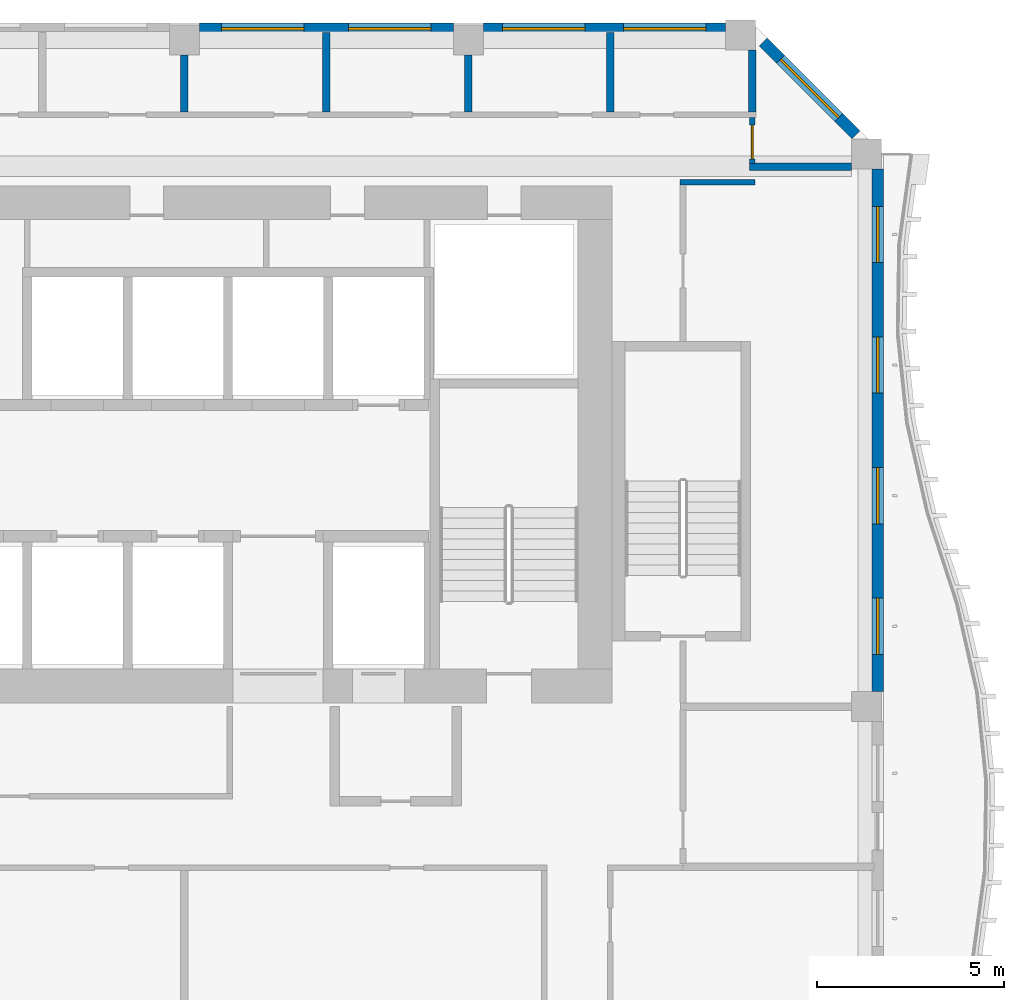
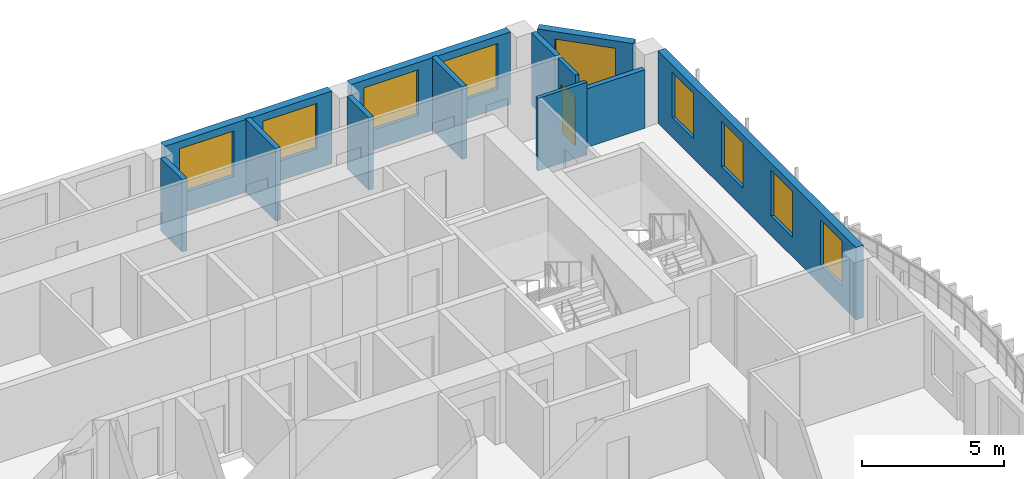
# One storey, part 11 of 24: 12 walls, 9 windows, 1 door, 10 openings.
"""IFC4 building model written with IfcOpenShell, lengths in metres."""

from ifc_helpers import new_model, si_unit, direction, frame, frame_2d, origin, place, context, subcontext, project, spatial, rectangle, extrude, source, transform, mapped, material, layer, layer_set, type_object, element, fill, save


model = new_model("IFC4")

# Units and contexts
model_context = context("Model", 3, precision=1e-05, world=origin(), true_north=direction((0.0, 1.0)))
body_context = subcontext(model_context, "Body", "Model", "MODEL_VIEW")
ifc_project = project(units=[si_unit("LENGTHUNIT", "METRE"), si_unit("AREAUNIT", "SQUARE_METRE"), si_unit("VOLUMEUNIT", "CUBIC_METRE"), si_unit("PLANEANGLEUNIT", "RADIAN"), si_unit("MASSUNIT", "GRAM", prefix="KILO")], contexts=[model_context])

# Site, building, storey
site_placement = place(None, origin())
site = spatial("IfcSite", under=ifc_project, at=site_placement, CompositionType="ELEMENT")
building_placement = place(site_placement, origin())
building = spatial("IfcBuilding", under=site, at=building_placement, Name="Kilnfold Tower and Market Hall", CompositionType="ELEMENT")
storey_placement = place(building_placement, frame((0.0, 0.0, 175.300048828125)))
storey = spatial("IfcBuildingStorey", under=building, at=storey_placement, Name="L41", CompositionType="ELEMENT", Elevation=175.300048828125)

# Wall
ifc_material_1 = material(Name="Gypsum board on steel studs", Category="steel")
ifc_layer_1 = layer(ifc_material_1, 0.14990234375)
ifc_layer_set_1 = layer_set([ifc_layer_1], Name="Gypsum board on steel studs")
wall_type_1 = type_object("IfcWallType", Name="WALL CORRIDOR 150", PredefinedType="PARTITIONING", material=ifc_layer_set_1)
wall_1_placement = place(storey_placement, frame((19.824951171875, 22.0, 0.0), z_axis=(0.0, 0.0, 1.0), x_axis=(1.0, 0.0, 0.0)))
element("IfcWall", 1, at=wall_1_placement, inside=storey, type_object=wall_type_1, Name="Partition LY26.30", PredefinedType="PARTITIONING", context=body_context, shape_type="SweptSolid", body=[
    extrude(rectangle(XDim=2.0, YDim=0.14990234375, at=frame_2d((1.0, 0.0))), origin(), (0.0, 0.0, 1.0), 3.119873046875),
])

# Wall, opening, door
wall_2_placement = place(storey_placement, frame((21.75, 22.5029296875, 0.0), z_axis=(0.0, 0.0, 1.0), x_axis=(0.0, 1.0, 0.0)))
wall_2 = element("IfcWall", 2, at=wall_2_placement, inside=storey, type_object=wall_type_1, Name="Partition LY26.33", PredefinedType="PARTITIONING", context=body_context, shape_type="SweptSolid", body=[
    extrude(rectangle(XDim=1.22216796875, YDim=0.14990234375, at=frame_2d((0.611083984375, 0.0))), origin(), (0.0, 0.0, 1.0), 3.119873046875),
])
opening_1_placement = place(wall_2_placement, frame((0.1201171875, 0.0, 0.0)))
opening_1 = element("IfcOpeningElement", 3, at=opening_1_placement, cuts=wall_2, Name="Opening D2", PredefinedType="OPENING", context=body_context, shape_type="SweptSolid", body=[
    extrude(rectangle(XDim=0.89990234375, YDim=2.10009765625, at=frame_2d((0.449951171875, 1.050048828125))), frame((0.0, 0.0849609375, 0.0), z_axis=(0.0, -1.0, 0.0), x_axis=(1.0, 0.0, 0.0)), (0.0, 0.0, 1.0), 0.169921875),
])
ifc_material_2 = material(Name="Timber veneer door leaf in steel frame", Category="steel")
door_type = type_object("IfcDoorType", Name="DOOR ROOM 900 X2100", OperationType="NOTDEFINED", PredefinedType="DOOR", material=ifc_material_2)
door_placement = place(opening_1_placement, origin())
door = element("IfcDoor", 4, at=door_placement, inside=storey, type_object=door_type, Name="Door D2", OperationType="SINGLE_SWING_LEFT", OverallHeight=2.10009765625, OverallWidth=0.89990234375, PredefinedType="DOOR", context=body_context, shape_type="SweptSolid", body=[
    extrude(rectangle(XDim=0.89990234375, YDim=2.10009765625, at=frame_2d((0.449951171875, 1.050048828125))), frame((0.0, 0.02490234375, 0.0), z_axis=(0.0, -1.0, 0.0), x_axis=(1.0, 0.0, 0.0)), (0.0, 0.0, 1.0), 0.050048828125),
])
fill(opening_1, door)

# Walls
ifc_material_3 = material(Name="Gypsum board on steel studs", Category="steel")
ifc_layer_2 = layer(ifc_material_3, 0.199951171875)
ifc_layer_set_2 = layer_set([ifc_layer_2], Name="Gypsum board on steel studs")
wall_type_2 = type_object("IfcWallType", Name="WALL PARTY 200", PredefinedType="PARTITIONING", material=ifc_layer_set_2)
wall_3_placement = place(storey_placement, frame((24.39990234375, 22.4130859375, 0.0), z_axis=(0.0, 0.0, 1.0), x_axis=(-1.0, 0.0, 0.0)))
element("IfcWall", 5, at=wall_3_placement, inside=storey, type_object=wall_type_2, Name="Partition LY26.120", PredefinedType="PARTITIONING", context=body_context, shape_type="SweptSolid", body=[
    extrude(rectangle(XDim=2.722900390625, YDim=0.199951171875, at=frame_2d((1.361328125, 0.0))), origin(), (0.0, 0.0, 1.0), 2.52001953125),
])
wall_4_placement = place(storey_placement, frame((21.75, 25.531982421875, 0.0), z_axis=(0.0, 0.0, 1.0), x_axis=(0.0, -1.0, 0.0)))
element("IfcWall", 6, at=wall_4_placement, inside=storey, type_object=wall_type_2, Name="Partition LY26.121", PredefinedType="PARTITIONING", context=body_context, shape_type="SweptSolid", body=[
    extrude(rectangle(XDim=1.655029296875, YDim=0.199951171875, at=frame_2d((0.82763671875, 0.0))), origin(), (0.0, 0.0, 1.0), 3.119873046875),
])
wall_5_placement = place(storey_placement, frame((6.5830078125, 23.876953125, 0.0), z_axis=(0.0, 0.0, 1.0), x_axis=(0.0, 1.0, 0.0)))
element("IfcWall", 7, at=wall_5_placement, inside=storey, type_object=wall_type_2, Name="Partition LY26.130", PredefinedType="PARTITIONING", context=body_context, shape_type="SweptSolid", body=[
    extrude(rectangle(XDim=1.52294921875, YDim=0.199951171875, at=frame_2d((0.761474609375, 0.0))), origin(), (0.0, 0.0, 1.0), 3.119873046875),
])
wall_6_placement = place(storey_placement, frame((10.375, 23.876953125, 0.0), z_axis=(0.0, 0.0, 1.0), x_axis=(0.0, 1.0, 0.0)))
element("IfcWall", 8, at=wall_6_placement, inside=storey, type_object=wall_type_2, Name="Partition LY26.131", PredefinedType="PARTITIONING", context=body_context, shape_type="SweptSolid", body=[
    extrude(rectangle(XDim=2.123046875, YDim=0.199951171875, at=frame_2d((1.0615234375, 0.0))), origin(), (0.0, 0.0, 1.0), 3.119873046875),
])
wall_7_placement = place(storey_placement, frame((14.1669921875, 23.876953125, 0.0), z_axis=(0.0, 0.0, 1.0), x_axis=(0.0, 1.0, 0.0)))
element("IfcWall", 9, at=wall_7_placement, inside=storey, type_object=wall_type_2, Name="Partition LY26.132", PredefinedType="PARTITIONING", context=body_context, shape_type="SweptSolid", body=[
    extrude(rectangle(XDim=1.52294921875, YDim=0.199951171875, at=frame_2d((0.761474609375, 0.0))), origin(), (0.0, 0.0, 1.0), 3.119873046875),
])
wall_8_placement = place(storey_placement, frame((17.958984375, 23.876953125, 0.0), z_axis=(0.0, 0.0, 1.0), x_axis=(0.0, 1.0, 0.0)))
element("IfcWall", 10, at=wall_8_placement, inside=storey, type_object=wall_type_2, Name="Partition LY26.133", PredefinedType="PARTITIONING", context=body_context, shape_type="SweptSolid", body=[
    extrude(rectangle(XDim=2.123046875, YDim=0.199951171875, at=frame_2d((1.0615234375, 0.0))), origin(), (0.0, 0.0, 1.0), 3.119873046875),
])

# Wall, openings, windows
ifc_material_4 = material(Name="Precast concrete C50/60", Category="concrete")
ifc_layer_3 = layer(ifc_material_4, 0.300048828125)
ifc_layer_set_3 = layer_set([ifc_layer_3], Name="Precast concrete C50/60")
wall_type_3 = type_object("IfcWallType", Name="PRECAST WALL 300", PredefinedType="SOLIDWALL", material=ifc_layer_set_3)
shared_shape_1 = source(origin(), body_context, "Body", "SweptSolid", [
    extrude(rectangle(XDim=6.783203125, YDim=0.300048828125, at=frame_2d((3.3916015625, 0.0))), origin(), (0.0, 0.0, 1.0), 3.119873046875),
])
wall_9_placement = place(storey_placement, frame((13.7666015625, 26.10009765625, 0.0), z_axis=(0.0, 0.0, 1.0), x_axis=(-1.0, 0.0, 0.0)))
wall_9 = element("IfcWall", 11, at=wall_9_placement, inside=storey, type_object=wall_type_3, Name="External wall L41 N", PredefinedType="SOLIDWALL", context=body_context, shape_type="MappedRepresentation", body=[
    mapped(shared_shape_1, transform((0.0, 0.0, 0.0))),
])
opening_2_placement = place(wall_9_placement, frame((0.595703125, 0.0, 0.85009765625)))
opening_2 = element("IfcOpeningElement", 12, at=opening_2_placement, cuts=wall_9, Name="Opening W2", PredefinedType="OPENING", context=body_context, shape_type="SweptSolid", body=[
    extrude(rectangle(XDim=2.199951171875, YDim=1.949951171875, at=frame_2d((1.10009765625, 0.97509765625))), frame((0.0, 0.16015625, 0.0), z_axis=(0.0, -1.0, 0.0), x_axis=(1.0, 0.0, 0.0)), (0.0, 0.0, 1.0), 0.320068359375),
])
opening_3_placement = place(wall_9_placement, frame((3.987548828125, 0.0, 0.85009765625)))
opening_3 = element("IfcOpeningElement", 13, at=opening_3_placement, cuts=wall_9, Name="Opening W2", PredefinedType="OPENING", context=body_context, shape_type="SweptSolid", body=[
    extrude(rectangle(XDim=2.199951171875, YDim=1.949951171875, at=frame_2d((1.10009765625, 0.97509765625))), frame((0.0, 0.16015625, 0.0), z_axis=(0.0, -1.0, 0.0), x_axis=(1.0, 0.0, 0.0)), (0.0, 0.0, 1.0), 0.320068359375),
])
ifc_material_5 = material(Name="Aluminium frame and double glazing", Category="aluminium")
window_type_1 = type_object("IfcWindowType", Name="WINDOW W2 2200X1950", PartitioningType="SINGLE_PANEL", PredefinedType="WINDOW", material=ifc_material_5)
window_1_placement = place(opening_2_placement, origin())
window_1 = element("IfcWindow", 14, at=window_1_placement, inside=storey, type_object=window_type_1, Name="Window W2 L41 N-1", OverallHeight=1.949951171875, OverallWidth=2.199951171875, PartitioningType="SINGLE_PANEL", PredefinedType="WINDOW", context=body_context, shape_type="SweptSolid", body=[
    extrude(rectangle(XDim=2.199951171875, YDim=1.949951171875, at=frame_2d((1.10009765625, 0.97509765625))), frame((0.0, 0.030029296875, 0.0), z_axis=(0.0, -1.0, 0.0), x_axis=(1.0, 0.0, 0.0)), (0.0, 0.0, 1.0), 0.06005859375),
])
fill(opening_2, window_1)
window_2_placement = place(opening_3_placement, origin())
window_2 = element("IfcWindow", 15, at=window_2_placement, inside=storey, type_object=window_type_1, Name="Window W2 L41 N-2", OverallHeight=1.949951171875, OverallWidth=2.199951171875, PartitioningType="SINGLE_PANEL", PredefinedType="WINDOW", context=body_context, shape_type="SweptSolid", body=[
    extrude(rectangle(XDim=2.199951171875, YDim=1.949951171875, at=frame_2d((1.10009765625, 0.97509765625))), frame((0.0, 0.030029296875, 0.0), z_axis=(0.0, -1.0, 0.0), x_axis=(1.0, 0.0, 0.0)), (0.0, 0.0, 1.0), 0.06005859375),
])
fill(opening_3, window_2)

# Wall, opening, window
shared_shape_2 = source(origin(), body_context, "Body", "SweptSolid", [
    extrude(rectangle(XDim=3.500244140625, YDim=0.300048828125, at=frame_2d((1.75, 0.0))), origin(), (0.0, 0.0, 1.0), 3.119873046875),
])
wall_10_placement = place(storey_placement, frame((24.518798828125, 23.268798828125, 0.0), z_axis=(0.0, 0.0, 1.0), x_axis=(-0.70707190453, 0.707141656123, 0.0)))
wall_10 = element("IfcWall", 16, at=wall_10_placement, inside=storey, type_object=wall_type_3, Name="External wall L41 NE", PredefinedType="SOLIDWALL", context=body_context, shape_type="MappedRepresentation", body=[
    mapped(shared_shape_2, transform((0.0, 0.0, 0.0))),
])
opening_4_placement = place(wall_10_placement, frame((0.650146484375, 0.0, 0.85009765625)))
opening_4 = element("IfcOpeningElement", 17, at=opening_4_placement, cuts=wall_10, Name="Opening W2", PredefinedType="OPENING", context=body_context, shape_type="SweptSolid", body=[
    extrude(rectangle(XDim=2.199951171875, YDim=1.949951171875, at=frame_2d((1.10009765625, 0.97509765625))), frame((0.0, 0.16015625, 0.0), z_axis=(0.0, -1.0, 0.0), x_axis=(1.0, 0.0, 0.0)), (0.0, 0.0, 1.0), 0.320068359375),
])
window_3_placement = place(opening_4_placement, origin())
window_3 = element("IfcWindow", 18, at=window_3_placement, inside=storey, type_object=window_type_1, Name="Window W2 L41 NE-1", OverallHeight=1.949951171875, OverallWidth=2.199951171875, PartitioningType="SINGLE_PANEL", PredefinedType="WINDOW", context=body_context, shape_type="SweptSolid", body=[
    extrude(rectangle(XDim=2.199951171875, YDim=1.949951171875, at=frame_2d((1.10009765625, 0.97509765625))), frame((0.0, 0.030029296875, 0.0), z_axis=(0.0, -1.0, 0.0), x_axis=(1.0, 0.0, 0.0)), (0.0, 0.0, 1.0), 0.06005859375),
])
fill(opening_4, window_3)

# Wall, openings, windows
shared_shape_3 = source(origin(), body_context, "Body", "SweptSolid", [
    extrude(rectangle(XDim=6.465087890625, YDim=0.300048828125, at=frame_2d((3.232421875, 0.0))), origin(), (0.0, 0.0, 1.0), 3.119873046875),
])
wall_11_placement = place(storey_placement, frame((21.03173828125, 26.10009765625, 0.0), z_axis=(0.0, 0.0, 1.0), x_axis=(-1.0, 0.0, 0.0)))
wall_11 = element("IfcWall", 19, at=wall_11_placement, inside=storey, type_object=wall_type_3, Name="External wall L41 N", PredefinedType="SOLIDWALL", context=body_context, shape_type="MappedRepresentation", body=[
    mapped(shared_shape_3, transform((0.0, 0.0, 0.0))),
])
opening_5_placement = place(wall_11_placement, frame((0.51611328125, 0.0, 0.85009765625)))
opening_5 = element("IfcOpeningElement", 20, at=opening_5_placement, cuts=wall_11, Name="Opening W2", PredefinedType="OPENING", context=body_context, shape_type="SweptSolid", body=[
    extrude(rectangle(XDim=2.199951171875, YDim=1.949951171875, at=frame_2d((1.10009765625, 0.97509765625))), frame((0.0, 0.16015625, 0.0), z_axis=(0.0, -1.0, 0.0), x_axis=(1.0, 0.0, 0.0)), (0.0, 0.0, 1.0), 0.320068359375),
])
opening_6_placement = place(wall_11_placement, frame((3.748779296875, 0.0, 0.85009765625)))
opening_6 = element("IfcOpeningElement", 21, at=opening_6_placement, cuts=wall_11, Name="Opening W2", PredefinedType="OPENING", context=body_context, shape_type="SweptSolid", body=[
    extrude(rectangle(XDim=2.199951171875, YDim=1.949951171875, at=frame_2d((1.10009765625, 0.97509765625))), frame((0.0, 0.16015625, 0.0), z_axis=(0.0, -1.0, 0.0), x_axis=(1.0, 0.0, 0.0)), (0.0, 0.0, 1.0), 0.320068359375),
])
window_4_placement = place(opening_5_placement, origin())
window_4 = element("IfcWindow", 22, at=window_4_placement, inside=storey, type_object=window_type_1, Name="Window W2 L41 N-1", OverallHeight=1.949951171875, OverallWidth=2.199951171875, PartitioningType="SINGLE_PANEL", PredefinedType="WINDOW", context=body_context, shape_type="SweptSolid", body=[
    extrude(rectangle(XDim=2.199951171875, YDim=1.949951171875, at=frame_2d((1.10009765625, 0.97509765625))), frame((0.0, 0.030029296875, 0.0), z_axis=(0.0, -1.0, 0.0), x_axis=(1.0, 0.0, 0.0)), (0.0, 0.0, 1.0), 0.06005859375),
])
fill(opening_5, window_4)
window_5_placement = place(opening_6_placement, origin())
window_5 = element("IfcWindow", 23, at=window_5_placement, inside=storey, type_object=window_type_1, Name="Window W2 L41 N-2", OverallHeight=1.949951171875, OverallWidth=2.199951171875, PartitioningType="SINGLE_PANEL", PredefinedType="WINDOW", context=body_context, shape_type="SweptSolid", body=[
    extrude(rectangle(XDim=2.199951171875, YDim=1.949951171875, at=frame_2d((1.10009765625, 0.97509765625))), frame((0.0, 0.030029296875, 0.0), z_axis=(0.0, -1.0, 0.0), x_axis=(1.0, 0.0, 0.0)), (0.0, 0.0, 1.0), 0.06005859375),
])
fill(opening_6, window_5)

shared_shape_4 = source(origin(), body_context, "Body", "SweptSolid", [
    extrude(rectangle(XDim=13.9501953125, YDim=0.300048828125, at=frame_2d((6.97509765625, 0.0))), origin(), (0.0, 0.0, 1.0), 3.119873046875),
])
wall_12_placement = place(storey_placement, frame((25.10009765625, 8.39990234375, 0.0), z_axis=(0.0, 0.0, 1.0), x_axis=(0.0, 1.0, 0.0)))
wall_12 = element("IfcWall", 24, at=wall_12_placement, inside=storey, type_object=wall_type_3, Name="External wall L41 E", PredefinedType="SOLIDWALL", context=body_context, shape_type="MappedRepresentation", body=[
    mapped(shared_shape_4, transform((0.0, 0.0, 0.0))),
])
opening_7_placement = place(wall_12_placement, frame((0.993896484375, 0.0, 0.85009765625)))
opening_7 = element("IfcOpeningElement", 25, at=opening_7_placement, cuts=wall_12, Name="Opening W4", PredefinedType="OPENING", context=body_context, shape_type="SweptSolid", body=[
    extrude(rectangle(XDim=1.5, YDim=1.949951171875, at=frame_2d((0.75, 0.97509765625))), frame((0.0, 0.16015625, 0.0), z_axis=(0.0, -1.0, 0.0), x_axis=(1.0, 0.0, 0.0)), (0.0, 0.0, 1.0), 0.320068359375),
])
opening_8_placement = place(wall_12_placement, frame((4.481201171875, 0.0, 0.85009765625)))
opening_8 = element("IfcOpeningElement", 26, at=opening_8_placement, cuts=wall_12, Name="Opening W4", PredefinedType="OPENING", context=body_context, shape_type="SweptSolid", body=[
    extrude(rectangle(XDim=1.5, YDim=1.949951171875, at=frame_2d((0.75, 0.97509765625))), frame((0.0, 0.16015625, 0.0), z_axis=(0.0, -1.0, 0.0), x_axis=(1.0, 0.0, 0.0)), (0.0, 0.0, 1.0), 0.320068359375),
])
opening_9_placement = place(wall_12_placement, frame((7.96875, 0.0, 0.85009765625)))
opening_9 = element("IfcOpeningElement", 27, at=opening_9_placement, cuts=wall_12, Name="Opening W4", PredefinedType="OPENING", context=body_context, shape_type="SweptSolid", body=[
    extrude(rectangle(XDim=1.5, YDim=1.949951171875, at=frame_2d((0.75, 0.97509765625))), frame((0.0, 0.16015625, 0.0), z_axis=(0.0, -1.0, 0.0), x_axis=(1.0, 0.0, 0.0)), (0.0, 0.0, 1.0), 0.320068359375),
])
opening_10_placement = place(wall_12_placement, frame((11.456298828125, 0.0, 0.85009765625)))
opening_10 = element("IfcOpeningElement", 28, at=opening_10_placement, cuts=wall_12, Name="Opening W4", PredefinedType="OPENING", context=body_context, shape_type="SweptSolid", body=[
    extrude(rectangle(XDim=1.5, YDim=1.949951171875, at=frame_2d((0.75, 0.97509765625))), frame((0.0, 0.16015625, 0.0), z_axis=(0.0, -1.0, 0.0), x_axis=(1.0, 0.0, 0.0)), (0.0, 0.0, 1.0), 0.320068359375),
])
ifc_material_6 = material(Name="Aluminium frame and double glazing", Category="aluminium")
window_type_2 = type_object("IfcWindowType", Name="WINDOW W4 1500X1950", PartitioningType="SINGLE_PANEL", PredefinedType="WINDOW", material=ifc_material_6)
window_6_placement = place(opening_7_placement, origin())
window_6 = element("IfcWindow", 29, at=window_6_placement, inside=storey, type_object=window_type_2, Name="Window W4 L41 E-1", OverallHeight=1.949951171875, OverallWidth=1.5, PartitioningType="SINGLE_PANEL", PredefinedType="WINDOW", context=body_context, shape_type="SweptSolid", body=[
    extrude(rectangle(XDim=1.5, YDim=1.949951171875, at=frame_2d((0.75, 0.97509765625))), frame((0.0, 0.030029296875, 0.0), z_axis=(0.0, -1.0, 0.0), x_axis=(1.0, 0.0, 0.0)), (0.0, 0.0, 1.0), 0.06005859375),
])
fill(opening_7, window_6)
window_7_placement = place(opening_8_placement, origin())
window_7 = element("IfcWindow", 30, at=window_7_placement, inside=storey, type_object=window_type_2, Name="Window W4 L41 E-2", OverallHeight=1.949951171875, OverallWidth=1.5, PartitioningType="SINGLE_PANEL", PredefinedType="WINDOW", context=body_context, shape_type="SweptSolid", body=[
    extrude(rectangle(XDim=1.5, YDim=1.949951171875, at=frame_2d((0.75, 0.97509765625))), frame((0.0, 0.030029296875, 0.0), z_axis=(0.0, -1.0, 0.0), x_axis=(1.0, 0.0, 0.0)), (0.0, 0.0, 1.0), 0.06005859375),
])
fill(opening_8, window_7)
window_8_placement = place(opening_9_placement, origin())
window_8 = element("IfcWindow", 31, at=window_8_placement, inside=storey, type_object=window_type_2, Name="Window W4 L41 E-3", OverallHeight=1.949951171875, OverallWidth=1.5, PartitioningType="SINGLE_PANEL", PredefinedType="WINDOW", context=body_context, shape_type="SweptSolid", body=[
    extrude(rectangle(XDim=1.5, YDim=1.949951171875, at=frame_2d((0.75, 0.97509765625))), frame((0.0, 0.030029296875, 0.0), z_axis=(0.0, -1.0, 0.0), x_axis=(1.0, 0.0, 0.0)), (0.0, 0.0, 1.0), 0.06005859375),
])
fill(opening_9, window_8)
window_9_placement = place(opening_10_placement, origin())
window_9 = element("IfcWindow", 32, at=window_9_placement, inside=storey, type_object=window_type_2, Name="Window W4 L41 E-4", OverallHeight=1.949951171875, OverallWidth=1.5, PartitioningType="SINGLE_PANEL", PredefinedType="WINDOW", context=body_context, shape_type="SweptSolid", body=[
    extrude(rectangle(XDim=1.5, YDim=1.949951171875, at=frame_2d((0.75, 0.97509765625))), frame((0.0, 0.030029296875, 0.0), z_axis=(0.0, -1.0, 0.0), x_axis=(1.0, 0.0, 0.0)), (0.0, 0.0, 1.0), 0.06005859375),
])
fill(opening_10, window_9)

save(model, "model.ifc")
